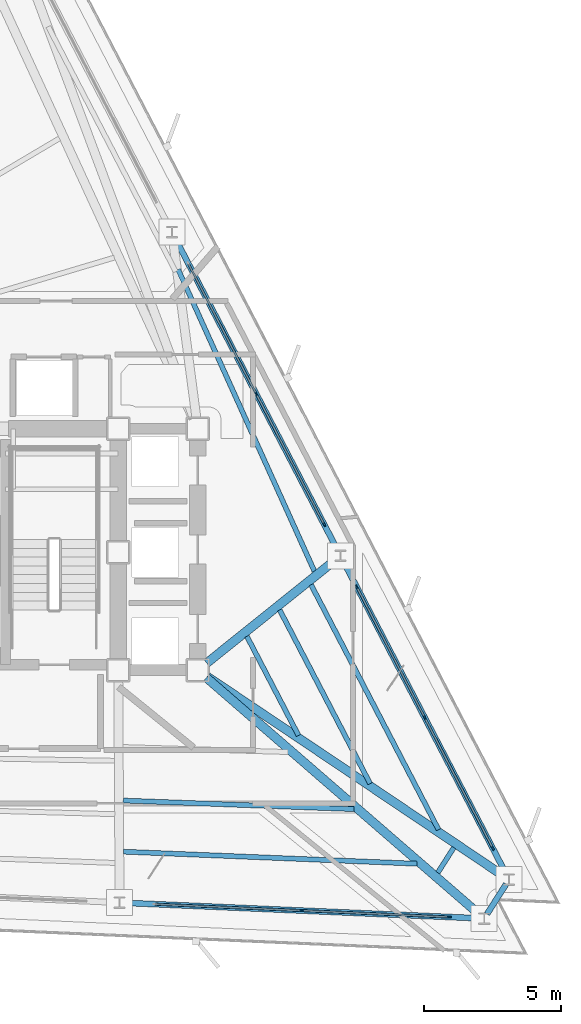
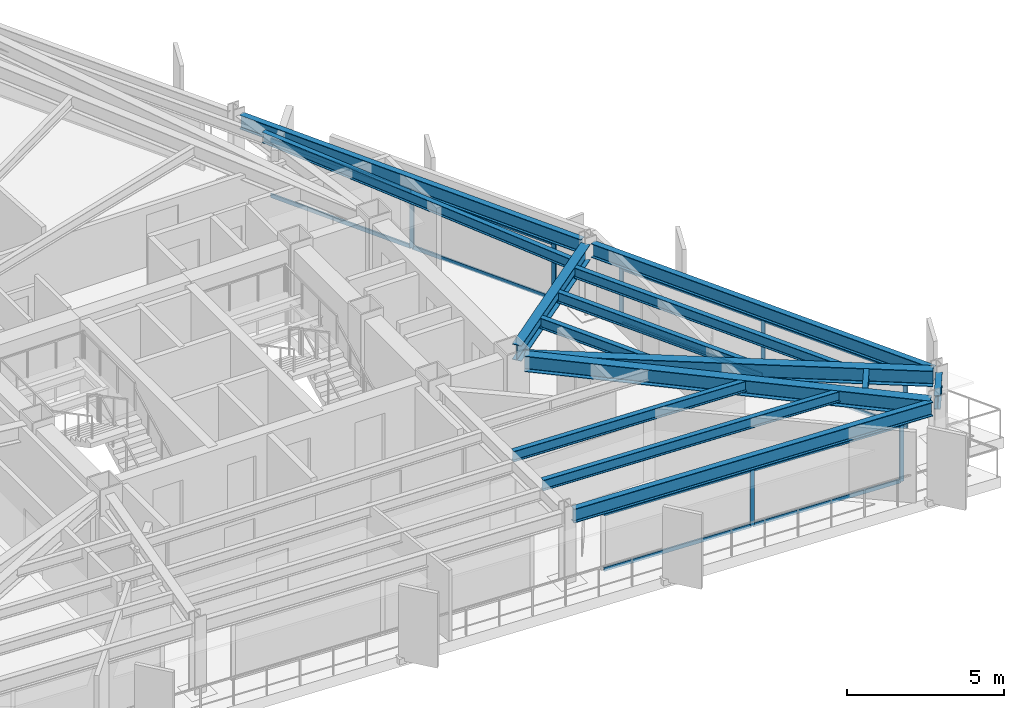
# One storey, part 5 of 12: 19 members, 14 beams, 3 elements without a shape of their own.
"""IFC4 building model written with IfcOpenShell, lengths in metres."""

from ifc_helpers import new_model, si_unit, direction, frame, origin, origin_2d, place, context, subcontext, project, spatial, rectangle, i_section, extrude, material, layer, layer_set, material_profile, profile_set, type_object, element, aggregate, save


model = new_model("IFC4")

# Units and contexts
model_context = context("Model", 3, precision=1e-05, world=origin(), true_north=direction((0.0, 1.0)))
body_context = subcontext(model_context, "Body", "Model", "MODEL_VIEW")
ifc_project = project(units=[si_unit("LENGTHUNIT", "METRE"), si_unit("AREAUNIT", "SQUARE_METRE"), si_unit("VOLUMEUNIT", "CUBIC_METRE"), si_unit("PLANEANGLEUNIT", "RADIAN"), si_unit("MASSUNIT", "GRAM", prefix="KILO")], contexts=[model_context])

# Site, building, storey
site_placement = place(None, origin())
site = spatial("IfcSite", under=ifc_project, at=site_placement, CompositionType="ELEMENT")
building_placement = place(site_placement, origin())
building = spatial("IfcBuilding", under=site, at=building_placement, Name="Rocaltana Carrier Exchange", CompositionType="ELEMENT")
storey_placement = place(building_placement, frame((0.0, 0.0, 125.919921875)))
storey = spatial("IfcBuildingStorey", under=building, at=storey_placement, Name="L39", CompositionType="ELEMENT", Elevation=125.919921875)

# Curtain wall, members
ifc_material_1 = material(Name="Aluminium 6063-T6", Category="aluminium")
ifc_layer = layer(ifc_material_1, 0.14990234375)
ifc_layer_set = layer_set([ifc_layer], Name="Aluminium 6063-T6")
curtain_wall_type = type_object("IfcCurtainWallType", Name="Mid-Tower Unitised Curtain Wall CW-03", PredefinedType="NOTDEFINED", material=ifc_layer_set)
curtain_wall_1_placement = place(storey_placement, origin())
curtain_wall_1 = element("IfcCurtainWall", 1, at=curtain_wall_1_placement, inside=storey, type_object=curtain_wall_type, Name="L39 CW-03 Run CW-L39-F1S1", PredefinedType="NOTDEFINED")
ifc_material_2 = material(Name="Aluminium 6063-T6", Category="aluminium")
ifc_material_profile_1 = material_profile(ifc_material_2, rectangle(XDim=0.06005859375, YDim=0.14990234375, at=origin_2d()), Name="AL-60X150")
ifc_profile_set_1 = profile_set([ifc_material_profile_1], Name="Aluminium 6063-T6")
member_type_1 = type_object("IfcMemberType", Name="CW-03 Mullion AL-60X150", PredefinedType="MULLION", material=ifc_profile_set_1)
member_1_placement = place(storey_placement, frame((19.700439453125, -10.792724609375, 0.0), z_axis=(0.0, 0.0, 1.0), x_axis=(-0.887009929614, -0.461750348962, 0.0)))
member_1 = element("IfcMember", 2, at=member_1_placement, type_object=member_type_1, Name="CW-03 mullion 1", PredefinedType="MULLION", context=body_context, shape_type="SweptSolid", body=[
    extrude(rectangle(XDim=0.06005859375, YDim=0.14990234375, at=origin_2d()), origin(), (0.0, 0.0, 1.0), 2.218017578125),
])
member_2_placement = place(storey_placement, frame((17.220947265625, -6.029541015625, 0.0), z_axis=(0.0, 0.0, 1.0), x_axis=(-0.887009929614, -0.461750348962, 0.0)))
member_2 = element("IfcMember", 3, at=member_2_placement, type_object=member_type_1, Name="CW-03 mullion 2", PredefinedType="MULLION", context=body_context, shape_type="SweptSolid", body=[
    extrude(rectangle(XDim=0.06005859375, YDim=0.14990234375, at=origin_2d()), origin(), (0.0, 0.0, 1.0), 2.218017578125),
])
member_3_placement = place(storey_placement, frame((14.7412109375, -1.266357421875, 0.0), z_axis=(0.0, 0.0, 1.0), x_axis=(-0.887009929614, -0.461750348962, 0.0)))
member_3 = element("IfcMember", 4, at=member_3_placement, type_object=member_type_1, Name="CW-03 mullion 3", PredefinedType="MULLION", context=body_context, shape_type="SweptSolid", body=[
    extrude(rectangle(XDim=0.06005859375, YDim=0.14990234375, at=origin_2d()), origin(), (0.0, 0.0, 1.0), 2.218017578125),
])

curtain_wall_2_placement = place(storey_placement, origin())
curtain_wall_2 = element("IfcCurtainWall", 5, at=curtain_wall_2_placement, inside=storey, type_object=curtain_wall_type, Name="L39 CW-03 Run CW-L39-F1S2", PredefinedType="NOTDEFINED")
member_4_placement = place(storey_placement, frame((13.55908203125, 1.00439453125, 0.0), z_axis=(0.0, 0.0, 1.0), x_axis=(-0.887011747812, -0.461746856235, 0.0)))
member_4 = element("IfcMember", 6, at=member_4_placement, type_object=member_type_1, Name="CW-03 mullion 1", PredefinedType="MULLION", context=body_context, shape_type="SweptSolid", body=[
    extrude(rectangle(XDim=0.06005859375, YDim=0.14990234375, at=origin_2d()), origin(), (0.0, 0.0, 1.0), 2.218017578125),
])
member_5_placement = place(storey_placement, frame((11.07958984375, 5.767578125, 0.0), z_axis=(0.0, 0.0, 1.0), x_axis=(-0.887011747812, -0.461746856235, 0.0)))
member_5 = element("IfcMember", 7, at=member_5_placement, type_object=member_type_1, Name="CW-03 mullion 2", PredefinedType="MULLION", context=body_context, shape_type="SweptSolid", body=[
    extrude(rectangle(XDim=0.06005859375, YDim=0.14990234375, at=origin_2d()), origin(), (0.0, 0.0, 1.0), 2.218017578125),
])

curtain_wall_3_placement = place(storey_placement, origin())
curtain_wall_3 = element("IfcCurtainWall", 8, at=curtain_wall_3_placement, inside=storey, type_object=curtain_wall_type, Name="L39 CW-03 Run CW-L39-F3S3", PredefinedType="NOTDEFINED")
member_6_placement = place(storey_placement, frame((12.742431640625, -13.05908203125, 0.0), z_axis=(0.0, 0.0, 1.0), x_axis=(0.043629290456, 0.999047789154, 0.0)))
member_6 = element("IfcMember", 9, at=member_6_placement, type_object=member_type_1, Name="CW-03 mullion 2", PredefinedType="MULLION", context=body_context, shape_type="SweptSolid", body=[
    extrude(rectangle(XDim=0.06005859375, YDim=0.14990234375, at=origin_2d()), origin(), (0.0, 0.0, 1.0), 2.218017578125),
])
member_7_placement = place(storey_placement, frame((18.107421875, -13.29345703125, 0.0), z_axis=(0.0, 0.0, 1.0), x_axis=(0.043629290456, 0.999047789154, 0.0)))
member_7 = element("IfcMember", 10, at=member_7_placement, type_object=member_type_1, Name="CW-03 mullion 3", PredefinedType="MULLION", context=body_context, shape_type="SweptSolid", body=[
    extrude(rectangle(XDim=0.06005859375, YDim=0.14990234375, at=origin_2d()), origin(), (0.0, 0.0, 1.0), 2.218017578125),
])

# Member
ifc_material_3 = material(Name="Aluminium 6063-T6", Category="aluminium")
ifc_material_profile_2 = material_profile(ifc_material_3, rectangle(XDim=0.06005859375, YDim=0.14990234375, at=origin_2d()), Name="AL-60X150")
ifc_profile_set_2 = profile_set([ifc_material_profile_2], Name="Aluminium 6063-T6")
member_type_2 = type_object("IfcMemberType", Name="CW-03 Transom AL-60X150", PredefinedType="USERDEFINED", material=ifc_profile_set_2)
member_8_placement = place(storey_placement, frame((19.6865234375, -10.76611328125, 0.030029296875), z_axis=(-0.461756588365, 0.887006681543, 0.0), x_axis=(-0.887006681543, -0.461756588365, 0.0)))
member_8 = element("IfcMember", 11, at=member_8_placement, type_object=member_type_2, Name="CW-03 transom 1.1", ObjectType="TRANSOM", PredefinedType="USERDEFINED", context=body_context, shape_type="SweptSolid", body=[
    extrude(rectangle(XDim=0.06005859375, YDim=0.14990234375, at=origin_2d()), origin(), (0.0, 0.0, 1.0), 5.31005859375),
])

member_9_placement = place(storey_placement, frame((19.6865234375, -10.76611328125, 2.18798828125), z_axis=(-0.461756588365, 0.887006681543, 0.0), x_axis=(-0.887006681543, -0.461756588365, 0.0)))
member_9 = element("IfcMember", 12, at=member_9_placement, type_object=member_type_2, Name="CW-03 transom 1.2", ObjectType="TRANSOM", PredefinedType="USERDEFINED", context=body_context, shape_type="SweptSolid", body=[
    extrude(rectangle(XDim=0.06005859375, YDim=0.14990234375, at=origin_2d()), origin(), (0.0, 0.0, 1.0), 5.31005859375),
])

member_10_placement = place(storey_placement, frame((17.20703125, -6.0029296875, 0.030029296875), z_axis=(-0.461756588365, 0.887006681543, 0.0), x_axis=(-0.887006681543, -0.461756588365, 0.0)))
member_10 = element("IfcMember", 13, at=member_10_placement, type_object=member_type_2, Name="CW-03 transom 2.1", ObjectType="TRANSOM", PredefinedType="USERDEFINED", context=body_context, shape_type="SweptSolid", body=[
    extrude(rectangle(XDim=0.06005859375, YDim=0.14990234375, at=origin_2d()), origin(), (0.0, 0.0, 1.0), 5.31005859375),
])

member_11_placement = place(storey_placement, frame((17.20703125, -6.0029296875, 2.18798828125), z_axis=(-0.461756588365, 0.887006681543, 0.0), x_axis=(-0.887006681543, -0.461756588365, 0.0)))
member_11 = element("IfcMember", 14, at=member_11_placement, type_object=member_type_2, Name="CW-03 transom 2.2", ObjectType="TRANSOM", PredefinedType="USERDEFINED", context=body_context, shape_type="SweptSolid", body=[
    extrude(rectangle(XDim=0.06005859375, YDim=0.14990234375, at=origin_2d()), origin(), (0.0, 0.0, 1.0), 5.31005859375),
])

aggregate(curtain_wall_1, [member_1, member_2, member_3, member_8, member_9, member_10, member_11])

member_12_placement = place(storey_placement, frame((13.54541015625, 1.031005859375, 0.030029296875), z_axis=(-0.461737757324, 0.887016484323, 0.0), x_axis=(-0.887016484323, -0.461737757324, 0.0)))
member_12 = element("IfcMember", 15, at=member_12_placement, type_object=member_type_2, Name="CW-03 transom 1.1", ObjectType="TRANSOM", PredefinedType="USERDEFINED", context=body_context, shape_type="SweptSolid", body=[
    extrude(rectangle(XDim=0.06005859375, YDim=0.14990234375, at=origin_2d()), origin(), (0.0, 0.0, 1.0), 5.31005859375),
])

member_13_placement = place(storey_placement, frame((13.54541015625, 1.031005859375, 2.18798828125), z_axis=(-0.461737757324, 0.887016484323, 0.0), x_axis=(-0.887016484323, -0.461737757324, 0.0)))
member_13 = element("IfcMember", 16, at=member_13_placement, type_object=member_type_2, Name="CW-03 transom 1.2", ObjectType="TRANSOM", PredefinedType="USERDEFINED", context=body_context, shape_type="SweptSolid", body=[
    extrude(rectangle(XDim=0.06005859375, YDim=0.14990234375, at=origin_2d()), origin(), (0.0, 0.0, 1.0), 5.31005859375),
])

member_14_placement = place(storey_placement, frame((11.065673828125, 5.794189453125, 0.030029296875), z_axis=(-0.461701582275, 0.887035314362, 0.0), x_axis=(-0.887035314362, -0.461701582275, 0.0)))
member_14 = element("IfcMember", 17, at=member_14_placement, type_object=member_type_2, Name="CW-03 transom 2.1", ObjectType="TRANSOM", PredefinedType="USERDEFINED", context=body_context, shape_type="SweptSolid", body=[
    extrude(rectangle(XDim=0.06005859375, YDim=0.14990234375, at=origin_2d()), origin(), (0.0, 0.0, 1.0), 5.31005859375),
])

member_15_placement = place(storey_placement, frame((11.065673828125, 5.794189453125, 2.18798828125), z_axis=(-0.461701582275, 0.887035314362, 0.0), x_axis=(-0.887035314362, -0.461701582275, 0.0)))
member_15 = element("IfcMember", 18, at=member_15_placement, type_object=member_type_2, Name="CW-03 transom 2.2", ObjectType="TRANSOM", PredefinedType="USERDEFINED", context=body_context, shape_type="SweptSolid", body=[
    extrude(rectangle(XDim=0.06005859375, YDim=0.14990234375, at=origin_2d()), origin(), (0.0, 0.0, 1.0), 5.31005859375),
])

aggregate(curtain_wall_2, [member_4, member_5, member_12, member_13, member_14, member_15])

member_16_placement = place(storey_placement, frame((7.407470703125, -12.826171875, 0.030029296875), z_axis=(0.999047725225, -0.043630754314, 0.0), x_axis=(0.043630754314, 0.999047725225, 0.0)))
member_16 = element("IfcMember", 19, at=member_16_placement, type_object=member_type_2, Name="CW-03 transom 1.1", ObjectType="TRANSOM", PredefinedType="USERDEFINED", context=body_context, shape_type="SweptSolid", body=[
    extrude(rectangle(XDim=0.06005859375, YDim=0.14990234375, at=origin_2d()), origin(), (0.0, 0.0, 1.0), 5.310302734375),
])

member_17_placement = place(storey_placement, frame((7.407470703125, -12.826171875, 2.18798828125), z_axis=(0.999047725225, -0.043630754314, 0.0), x_axis=(0.043630754314, 0.999047725225, 0.0)))
member_17 = element("IfcMember", 20, at=member_17_placement, type_object=member_type_2, Name="CW-03 transom 1.2", ObjectType="TRANSOM", PredefinedType="USERDEFINED", context=body_context, shape_type="SweptSolid", body=[
    extrude(rectangle(XDim=0.06005859375, YDim=0.14990234375, at=origin_2d()), origin(), (0.0, 0.0, 1.0), 5.310302734375),
])

member_18_placement = place(storey_placement, frame((12.7724609375, -13.060546875, 0.030029296875), z_axis=(0.999047637698, -0.043632758442, 0.0), x_axis=(0.043632758442, 0.999047637698, 0.0)))
member_18 = element("IfcMember", 21, at=member_18_placement, type_object=member_type_2, Name="CW-03 transom 2.1", ObjectType="TRANSOM", PredefinedType="USERDEFINED", context=body_context, shape_type="SweptSolid", body=[
    extrude(rectangle(XDim=0.06005859375, YDim=0.14990234375, at=origin_2d()), origin(), (0.0, 0.0, 1.0), 5.31005859375),
])

member_19_placement = place(storey_placement, frame((12.7724609375, -13.060546875, 2.18798828125), z_axis=(0.999047637698, -0.043632758442, 0.0), x_axis=(0.043632758442, 0.999047637698, 0.0)))
member_19 = element("IfcMember", 22, at=member_19_placement, type_object=member_type_2, Name="CW-03 transom 2.2", ObjectType="TRANSOM", PredefinedType="USERDEFINED", context=body_context, shape_type="SweptSolid", body=[
    extrude(rectangle(XDim=0.06005859375, YDim=0.14990234375, at=origin_2d()), origin(), (0.0, 0.0, 1.0), 5.31005859375),
])

aggregate(curtain_wall_3, [member_6, member_7, member_16, member_17, member_18, member_19])

# Beams
ifc_material_4 = material(Name="Steel S355", Category="steel")
ifc_material_profile_3 = material_profile(ifc_material_4, i_section(OverallWidth=0.179931640625, OverallDepth=0.4130859375, WebThickness=0.009765625, FlangeThickness=0.01611328125, FilletRadius=0.012939453125, at=origin_2d()), Name="W16X50")
ifc_profile_set_3 = profile_set([ifc_material_profile_3], Name="Steel S355")
beam_type_1 = type_object("IfcBeamType", Name="Floor Joist W16X50", PredefinedType="JOIST", material=ifc_profile_set_3)
beam_1_placement = place(storey_placement, frame((12.62060546875, -6.678955078125, 2.58154296875), z_axis=(-0.461741088253, 0.887014750395, 0.0), x_axis=(-0.887014750395, -0.461741088253, 0.0)))
element("IfcBeam", 23, at=beam_1_placement, inside=storey, type_object=beam_type_1, Name="FJ-L39-01-1", PredefinedType="JOIST", context=body_context, shape_type="SweptSolid", body=[
    extrude(i_section(OverallWidth=0.179931640625, OverallDepth=0.4130859375, WebThickness=0.009765625, FlangeThickness=0.01611328125, FilletRadius=0.012939453125, at=origin_2d()), origin(), (0.0, 0.0, 1.0), 4.0771484375),
])
beam_2_placement = place(storey_placement, frame((15.229248046875, -8.433349609375, 2.58154296875), z_axis=(-0.461769572887, 0.886999921959, 0.0), x_axis=(-0.886999921959, -0.461769572887, 0.0)))
element("IfcBeam", 24, at=beam_2_placement, inside=storey, type_object=beam_type_1, Name="FJ-L39-01-2", PredefinedType="JOIST", context=body_context, shape_type="SweptSolid", body=[
    extrude(i_section(OverallWidth=0.179931640625, OverallDepth=0.4130859375, WebThickness=0.009765625, FlangeThickness=0.01611328125, FilletRadius=0.012939453125, at=origin_2d()), origin(), (0.0, 0.0, 1.0), 7.135986328125),
])
beam_3_placement = place(storey_placement, frame((17.724365234375, -10.111572265625, 2.58154296875), z_axis=(-0.461760646449, 0.88700456898, 0.0), x_axis=(-0.88700456898, -0.461760646449, 0.0)))
element("IfcBeam", 25, at=beam_3_placement, inside=storey, type_object=beam_type_1, Name="FJ-L39-01-3", PredefinedType="JOIST", context=body_context, shape_type="SweptSolid", body=[
    extrude(i_section(OverallWidth=0.179931640625, OverallDepth=0.4130859375, WebThickness=0.009765625, FlangeThickness=0.01611328125, FilletRadius=0.012939453125, at=origin_2d()), origin(), (0.0, 0.0, 1.0), 10.06201171875),
])
beam_4_placement = place(storey_placement, frame((13.201904296875, -0.697509765625, 2.58154296875), z_axis=(-0.41154987929, 0.911387237598, 0.0), x_axis=(-0.911387237598, -0.41154987929, 0.0)))
element("IfcBeam", 26, at=beam_4_placement, inside=storey, type_object=beam_type_1, Name="FJ-L39-02-3", PredefinedType="JOIST", context=body_context, shape_type="SweptSolid", body=[
    extrude(i_section(OverallWidth=0.179931640625, OverallDepth=0.4130859375, WebThickness=0.009765625, FlangeThickness=0.01611328125, FilletRadius=0.012939453125, at=origin_2d()), origin(), (0.0, 0.0, 1.0), 12.0732421875),
])
beam_5_placement = place(storey_placement, frame((6.233154296875, -9.048583984375, 2.58154296875), z_axis=(0.999306338381, -0.037240328574, 0.0), x_axis=(0.037240328574, 0.999306338381, 0.0)))
element("IfcBeam", 27, at=beam_5_placement, inside=storey, type_object=beam_type_1, Name="FJ-L39-11-2", PredefinedType="JOIST", context=body_context, shape_type="SweptSolid", body=[
    extrude(i_section(OverallWidth=0.179931640625, OverallDepth=0.4130859375, WebThickness=0.009765625, FlangeThickness=0.01611328125, FilletRadius=0.012939453125, at=origin_2d()), origin(), (0.0, 0.0, 1.0), 8.4111328125),
])
beam_6_placement = place(storey_placement, frame((6.243896484375, -10.912353515625, 2.58154296875), z_axis=(0.999155233616, -0.041095244719, 0.0), x_axis=(0.041095244719, 0.999155233616, 0.0)))
element("IfcBeam", 28, at=beam_6_placement, inside=storey, type_object=beam_type_1, Name="FJ-L39-11-3", PredefinedType="JOIST", context=body_context, shape_type="SweptSolid", body=[
    extrude(i_section(OverallWidth=0.179931640625, OverallDepth=0.4130859375, WebThickness=0.009765625, FlangeThickness=0.01611328125, FilletRadius=0.012939453125, at=origin_2d()), origin(), (0.0, 0.0, 1.0), 10.699462890625),
])
beam_7_placement = place(storey_placement, frame((17.69580078125, -11.67919921875, 2.58154296875), z_axis=(0.537311646576, 0.843383776495, 0.0), x_axis=(-0.843383776495, 0.537311646576, 0.0)))
element("IfcBeam", 29, at=beam_7_placement, inside=storey, type_object=beam_type_1, Name="FJ-L39-12-3", PredefinedType="JOIST", context=body_context, shape_type="SweptSolid", body=[
    extrude(i_section(OverallWidth=0.179931640625, OverallDepth=0.4130859375, WebThickness=0.009765625, FlangeThickness=0.01611328125, FilletRadius=0.012939453125, at=origin_2d()), origin(), (0.0, 0.0, 1.0), 1.08642578125),
])
ifc_material_5 = material(Name="Steel S355", Category="steel")
ifc_material_profile_4 = material_profile(ifc_material_5, i_section(OverallWidth=0.323974609375, OverallDepth=0.611083984375, WebThickness=0.0126953125, FlangeThickness=0.01904296875, FilletRadius=0.01611328125, at=origin_2d()), Name="W24X104")
ifc_profile_set_4 = profile_set([ifc_material_profile_4], Name="Steel S355")
beam_type_2 = type_object("IfcBeamType", Name="Radial Girder W24X104", PredefinedType="BEAM", material=ifc_profile_set_4)
beam_8_placement = place(storey_placement, frame((9.2958984375, -4.53271484375, 2.482666015625), z_axis=(0.829776429239, -0.558095939314, 0.0), x_axis=(0.558095939314, 0.829776429239, 0.0)))
element("IfcBeam", 30, at=beam_8_placement, inside=storey, type_object=beam_type_2, Name="RG-L39-01", PredefinedType="BEAM", context=body_context, shape_type="SweptSolid", body=[
    extrude(i_section(OverallWidth=0.323974609375, OverallDepth=0.611083984375, WebThickness=0.0126953125, FlangeThickness=0.01904296875, FilletRadius=0.01611328125, at=origin_2d()), origin(), (0.0, 0.0, 1.0), 13.05615234375),
])
beam_9_placement = place(storey_placement, frame((9.275390625, -4.039306640625, 2.482666015625), z_axis=(0.780203362819, 0.625525948819, 0.0), x_axis=(-0.625525948819, 0.780203362819, 0.0)))
element("IfcBeam", 31, at=beam_9_placement, inside=storey, type_object=beam_type_2, Name="RG-L39-02", PredefinedType="BEAM", context=body_context, shape_type="SweptSolid", body=[
    extrude(i_section(OverallWidth=0.323974609375, OverallDepth=0.611083984375, WebThickness=0.0126953125, FlangeThickness=0.01904296875, FilletRadius=0.01611328125, at=origin_2d()), origin(), (0.0, 0.0, 1.0), 6.05322265625),
])
beam_10_placement = place(storey_placement, frame((9.26513671875, -4.5732421875, 2.482666015625), z_axis=(0.755523694859, -0.655121321976, 0.0), x_axis=(0.655121321976, 0.755523694859, 0.0)))
element("IfcBeam", 32, at=beam_10_placement, inside=storey, type_object=beam_type_2, Name="RG-L39-12", PredefinedType="BEAM", context=body_context, shape_type="SweptSolid", body=[
    extrude(i_section(OverallWidth=0.323974609375, OverallDepth=0.611083984375, WebThickness=0.0126953125, FlangeThickness=0.01904296875, FilletRadius=0.01611328125, at=origin_2d()), origin(), (0.0, 0.0, 1.0), 13.201171875),
])
ifc_material_6 = material(Name="Steel S355", Category="steel")
ifc_material_profile_5 = material_profile(ifc_material_6, i_section(OverallWidth=0.2119140625, OverallDepth=0.5439453125, WebThickness=0.01318359375, FlangeThickness=0.021240234375, FilletRadius=0.014892578125, at=origin_2d()), Name="W21X83")
ifc_profile_set_5 = profile_set([ifc_material_profile_5], Name="Steel S355")
beam_type_3 = type_object("IfcBeamType", Name="Spandrel Edge Beam W21X83", PredefinedType="SPANDREL", material=ifc_profile_set_5)
beam_11_placement = place(storey_placement, frame((20.201416015625, -11.755126953125, 2.51611328125), z_axis=(-0.461753420073, 0.88700833088, 0.0), x_axis=(-0.88700833088, -0.461753420073, 0.0)))
element("IfcBeam", 33, at=beam_11_placement, inside=storey, type_object=beam_type_3, Name="SP-L39-01", PredefinedType="SPANDREL", context=body_context, shape_type="SweptSolid", body=[
    extrude(i_section(OverallWidth=0.2119140625, OverallDepth=0.5439453125, WebThickness=0.01318359375, FlangeThickness=0.021240234375, FilletRadius=0.014892578125, at=origin_2d()), origin(), (0.0, 0.0, 1.0), 12.909912109375),
])
beam_12_placement = place(storey_placement, frame((14.060302734375, 0.0419921875, 2.51611328125), z_axis=(-0.461745674575, 0.887012362942, 0.0), x_axis=(-0.887012362942, -0.461745674575, 0.0)))
element("IfcBeam", 34, at=beam_12_placement, inside=storey, type_object=beam_type_3, Name="SP-L39-02", PredefinedType="SPANDREL", context=body_context, shape_type="SweptSolid", body=[
    extrude(i_section(OverallWidth=0.2119140625, OverallDepth=0.5439453125, WebThickness=0.01318359375, FlangeThickness=0.021240234375, FilletRadius=0.014892578125, at=origin_2d()), origin(), (0.0, 0.0, 1.0), 12.91015625),
])
beam_13_placement = place(storey_placement, frame((6.293701171875, -12.777587890625, 2.51611328125), z_axis=(0.999047862202, -0.04362761775, 0.0), x_axis=(0.04362761775, 0.999047862202, 0.0)))
element("IfcBeam", 35, at=beam_13_placement, inside=storey, type_object=beam_type_3, Name="SP-L39-11", PredefinedType="SPANDREL", context=body_context, shape_type="SweptSolid", body=[
    extrude(i_section(OverallWidth=0.2119140625, OverallDepth=0.5439453125, WebThickness=0.01318359375, FlangeThickness=0.021240234375, FilletRadius=0.014892578125, at=origin_2d()), origin(), (0.0, 0.0, 1.0), 12.909912109375),
])
beam_14_placement = place(storey_placement, frame((19.490966796875, -13.184814453125, 2.51611328125), z_axis=(0.537351203855, 0.84335857363, 0.0), x_axis=(-0.84335857363, 0.537351203855, 0.0)))
element("IfcBeam", 36, at=beam_14_placement, inside=storey, type_object=beam_type_3, Name="SP-L39-12", PredefinedType="SPANDREL", context=body_context, shape_type="SweptSolid", body=[
    extrude(i_section(OverallWidth=0.2119140625, OverallDepth=0.5439453125, WebThickness=0.01318359375, FlangeThickness=0.021240234375, FilletRadius=0.014892578125, at=origin_2d()), origin(), (0.0, 0.0, 1.0), 1.294921875),
])

save(model, "model.ifc")
